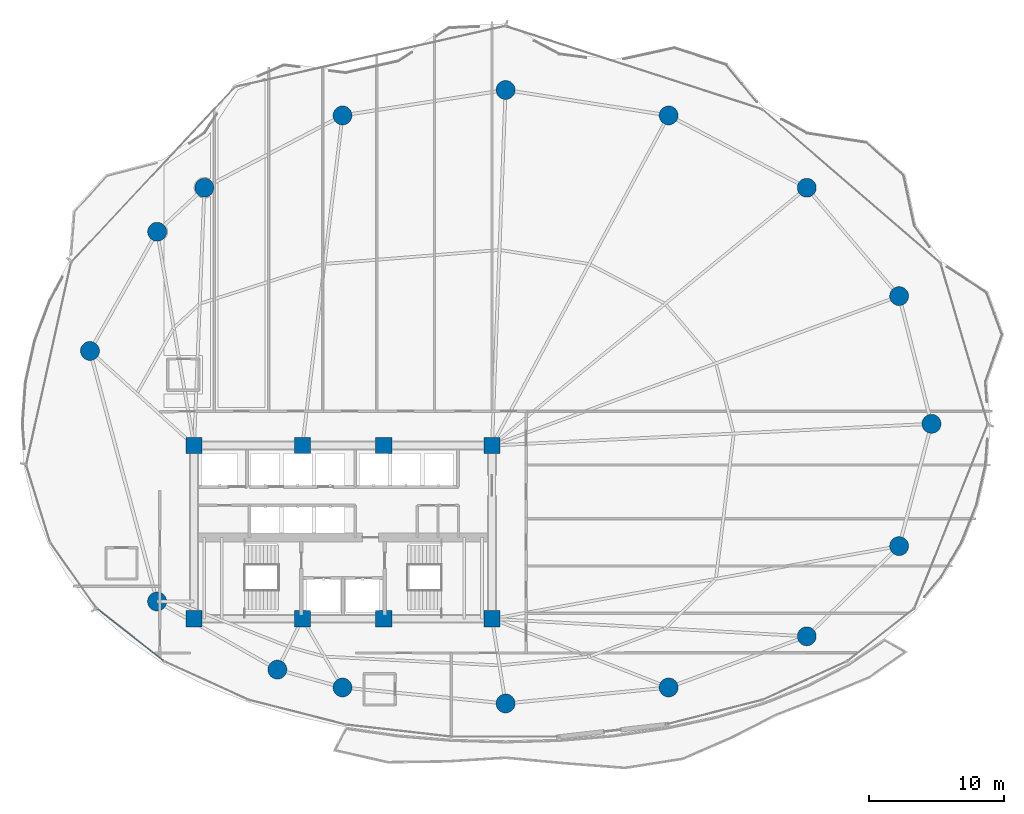
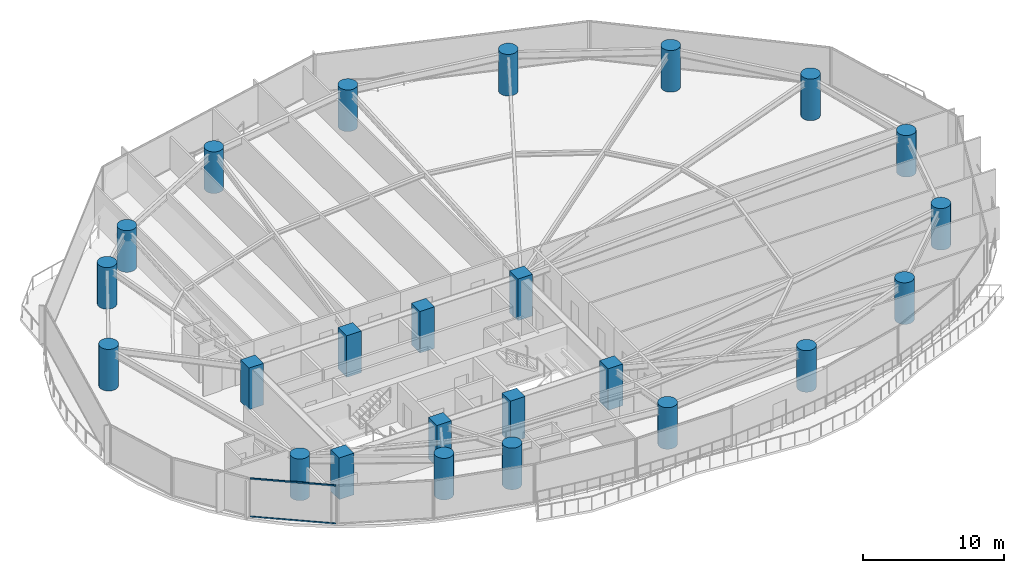
# One storey, part 1 of 33: 24 columns, 2 members, 1 element without a shape of its own.
"""IFC4 building model written with IfcOpenShell, lengths in metres."""

from ifc_helpers import new_model, si_unit, direction, frame, origin, origin_2d, place, context, subcontext, project, spatial, rectangle, hollow_rectangle, circle, extrude, material, layer, layer_set, material_profile, profile_set, type_object, element, aggregate, save


model = new_model("IFC4")

# Units and contexts
model_context = context("Model", 3, precision=1e-05, world=origin(), true_north=direction((0.0, 1.0)))
body_context = subcontext(model_context, "Body", "Model", "MODEL_VIEW")
ifc_project = project(units=[si_unit("LENGTHUNIT", "METRE"), si_unit("AREAUNIT", "SQUARE_METRE"), si_unit("VOLUMEUNIT", "CUBIC_METRE"), si_unit("PLANEANGLEUNIT", "RADIAN"), si_unit("MASSUNIT", "GRAM", prefix="KILO")], contexts=[model_context])

# Site, building, storey
site_placement = place(None, origin())
site = spatial("IfcSite", under=ifc_project, at=site_placement, CompositionType="ELEMENT")
building_placement = place(site_placement, origin())
building = spatial("IfcBuilding", under=site, at=building_placement, Name="Kazevale Care Tower and Concert Hall", CompositionType="ELEMENT")
storey_placement = place(building_placement, frame((0.0, 0.0, 27.60009765625)))
storey = spatial("IfcBuildingStorey", under=building, at=storey_placement, Name="L06", CompositionType="ELEMENT", Elevation=27.60009765625)

# Columns
ifc_material_1 = material(Name="Concrete C70", Category="concrete")
ifc_material_profile_1 = material_profile(ifc_material_1, rectangle(XDim=1.199951171875, YDim=1.199951171875, at=origin_2d()), Name="RC-SQ1200")
ifc_profile_set_1 = profile_set([ifc_material_profile_1], Name="Concrete C70")
column_type_1 = type_object("IfcColumnType", Name="Core Column SQ1200 C70", PredefinedType="COLUMN", material=ifc_profile_set_1)
for number, where, z_axis, x_axis, name in (
    (1, (22.0, 23.60009765625, 0.0), (0.0, 0.0, 1.0), (1.0, 0.0, 0.0), "col:L06:CC-01"),
    (2, (30.0, 23.60009765625, 0.0), (0.0, 0.0, 1.0), (1.0, 0.0, 0.0), "col:L06:CC-02"),
    (3, (36.0, 23.60009765625, 0.0), (0.0, 0.0, 1.0), (1.0, 0.0, 0.0), "col:L06:CC-03"),
    (4, (44.0, 23.60009765625, 0.0), (0.0, 0.0, 1.0), (1.0, 0.0, 0.0), "col:L06:CC-04"),
    (5, (44.0, 36.39990234375, 0.0), (0.0, 0.0, 1.0), (1.0, 0.0, 0.0), "col:L06:CC-05"),
    (6, (36.0, 36.39990234375, 0.0), (0.0, 0.0, 1.0), (1.0, 0.0, 0.0), "col:L06:CC-06"),
    (7, (30.0, 36.39990234375, 0.0), (0.0, 0.0, 1.0), (1.0, 0.0, 0.0), "col:L06:CC-07"),
    (8, (22.0, 36.39990234375, 0.0), (0.0, 0.0, 1.0), (1.0, 0.0, 0.0), "col:L06:CC-08"),
):
    element("IfcColumn", number, at=place(storey_placement, frame(where, z_axis=z_axis, x_axis=x_axis)), inside=storey, type_object=column_type_1, Name=name, PredefinedType="COLUMN", context=body_context, shape_type="SweptSolid", body=[
        extrude(rectangle(XDim=1.199951171875, YDim=1.199951171875, at=origin_2d()), origin(), (0.0, 0.0, 1.0), 3.599853515625),
    ])
ifc_material_profile_2 = material_profile(ifc_material_1, circle(Radius=0.699951171875, at=origin_2d()), Name="RC-CIR1400")
ifc_profile_set_2 = profile_set([ifc_material_profile_2], Name="Concrete C70")
column_type_2 = type_object("IfcColumnType", Name="Perimeter Column CIR1400 C70", PredefinedType="COLUMN", material=ifc_profile_set_2)
for number, where, z_axis, x_axis, name in (
    (9, (76.449951171875, 38.0, 0.0), (0.0, 0.0, 1.0), (1.0, 0.0, 0.0), "col:L06:PC-01"),
    (10, (74.06005859375, 47.429931640625, 0.0), (0.0, 0.0, 1.0), (1.0, 0.0, 0.0), "col:L06:PC-02"),
    (11, (67.239990234375, 55.429931640625, 0.0), (0.0, 0.0, 1.0), (1.0, 0.0, 0.0), "col:L06:PC-03"),
    (12, (57.0400390625, 60.77001953125, 0.0), (0.0, 0.0, 1.0), (1.0, 0.0, 0.0), "col:L06:PC-04"),
    (13, (45.0, 62.64990234375, 0.0), (0.0, 0.0, 1.0), (1.0, 0.0, 0.0), "col:L06:PC-05"),
    (14, (32.9599609375, 60.77001953125, 0.0), (0.0, 0.0, 1.0), (1.0, 0.0, 0.0), "col:L06:PC-06"),
    (15, (22.760009765625, 55.429931640625, 0.0), (0.0, 0.0, 1.0), (1.0, 0.0, 0.0), "col:L06:PC-07"),
    (16, (19.27001953125, 52.179931640625, 0.0), (0.0, 0.0, 1.0), (1.0, 0.0, 0.0), "col:L06:PC-08"),
    (17, (14.31005859375, 43.3798828125, 0.0), (0.0, 0.0, 1.0), (1.0, 0.0, 0.0), "col:L06:PC-09"),
    (18, (19.27001953125, 24.8798828125, 0.0), (0.0, 0.0, 1.0), (1.0, 0.0, 0.0), "col:L06:PC-10"),
    (19, (28.14990234375, 19.85009765625, 0.0), (0.0, 0.0, 1.0), (1.0, 0.0, 0.0), "col:L06:PC-11"),
    (20, (32.9599609375, 18.530029296875, 0.0), (0.0, 0.0, 1.0), (1.0, 0.0, 0.0), "col:L06:PC-12"),
    (21, (45.0, 17.35009765625, 0.0), (0.0, 0.0, 1.0), (1.0, 0.0, 0.0), "col:L06:PC-13"),
    (22, (57.0400390625, 18.530029296875, 0.0), (0.0, 0.0, 1.0), (1.0, 0.0, 0.0), "col:L06:PC-14"),
    (23, (67.239990234375, 22.31005859375, 0.0), (0.0, 0.0, 1.0), (1.0, 0.0, 0.0), "col:L06:PC-15"),
    (24, (74.06005859375, 28.969970703125, 0.0), (0.0, 0.0, 1.0), (1.0, 0.0, 0.0), "col:L06:PC-16"),
):
    element("IfcColumn", number, at=place(storey_placement, frame(where, z_axis=z_axis, x_axis=x_axis)), inside=storey, type_object=column_type_2, Name=name, PredefinedType="COLUMN", context=body_context, shape_type="SweptSolid", body=[
        extrude(circle(Radius=0.699951171875, at=origin_2d()), origin(), (0.0, 0.0, 1.0), 3.599853515625),
    ])

# Curtain wall, members
ifc_material_2 = material(Name="Aluminium 6063-T6 and Low-E Glass", Category="aluminium")
ifc_layer = layer(ifc_material_2, 0.179931640625)
ifc_layer_set = layer_set([ifc_layer], Name="Aluminium 6063-T6 and Low-E Glass")
curtain_wall_type = type_object("IfcCurtainWallType", Name="Sheltered Concave Balcony Curtain Wall CW-5", PredefinedType="NOTDEFINED", material=ifc_layer_set)
curtain_wall_placement = place(storey_placement, origin())
curtain_wall = element("IfcCurtainWall", 25, at=curtain_wall_placement, inside=storey, type_object=curtain_wall_type, Name="cw:L06:f10", PredefinedType="NOTDEFINED")
ifc_material_3 = material(Name="Aluminium 6063-T6", Category="aluminium")
ifc_material_profile_3 = material_profile(ifc_material_3, hollow_rectangle(XDim=0.074951171875, YDim=0.1201171875, WallThickness=0.00390625, at=origin_2d()), Name="ALU75x120x4")
ifc_profile_set_3 = profile_set([ifc_material_profile_3], Name="Aluminium 6063-T6")
member_type = type_object("IfcMemberType", Name="CW-5 Transom ALU75x120x4", PredefinedType="USERDEFINED", material=ifc_profile_set_3)
member_1_placement = place(storey_placement, frame((19.718994140625, 20.513427734375, 0.037353515625), z_axis=(-0.78633897536, 0.617795286344, 0.0), x_axis=(-0.617795286344, -0.78633897536, 0.0)))
member_1 = element("IfcMember", 26, at=member_1_placement, type_object=member_type, Name="CW-5 transom 1.1", ObjectType="TRANSOM", PredefinedType="USERDEFINED", context=body_context, shape_type="SweptSolid", body=[
    extrude(hollow_rectangle(XDim=0.074951171875, YDim=0.1201171875, WallThickness=0.00390625, at=origin_2d()), origin(), (0.0, 0.0, 1.0), 6.15771484375),
])
member_2_placement = place(storey_placement, frame((19.718994140625, 20.513427734375, 3.322509765625), z_axis=(-0.78633897536, 0.617795286344, 0.0), x_axis=(-0.617795286344, -0.78633897536, 0.0)))
member_2 = element("IfcMember", 27, at=member_2_placement, type_object=member_type, Name="CW-5 transom 1.2", ObjectType="TRANSOM", PredefinedType="USERDEFINED", context=body_context, shape_type="SweptSolid", body=[
    extrude(hollow_rectangle(XDim=0.074951171875, YDim=0.1201171875, WallThickness=0.00390625, at=origin_2d()), origin(), (0.0, 0.0, 1.0), 6.15771484375),
])
aggregate(curtain_wall, [member_1, member_2])

save(model, "model.ifc")
